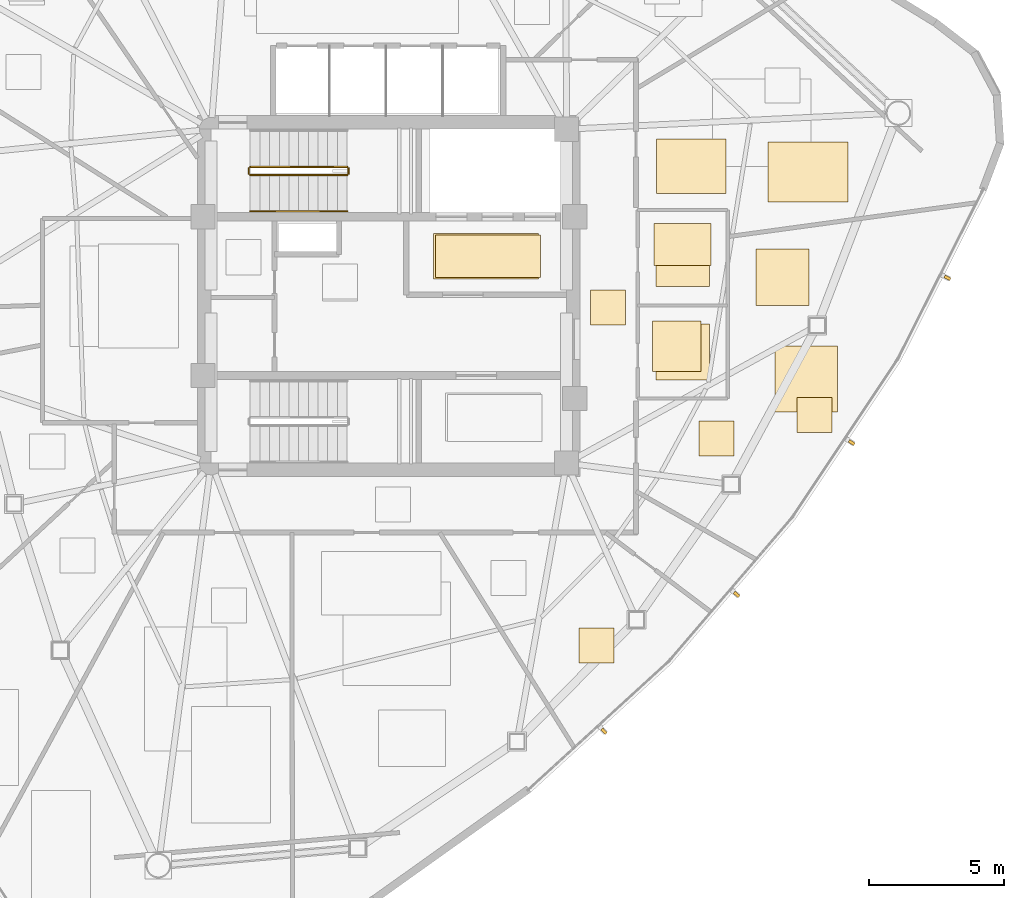
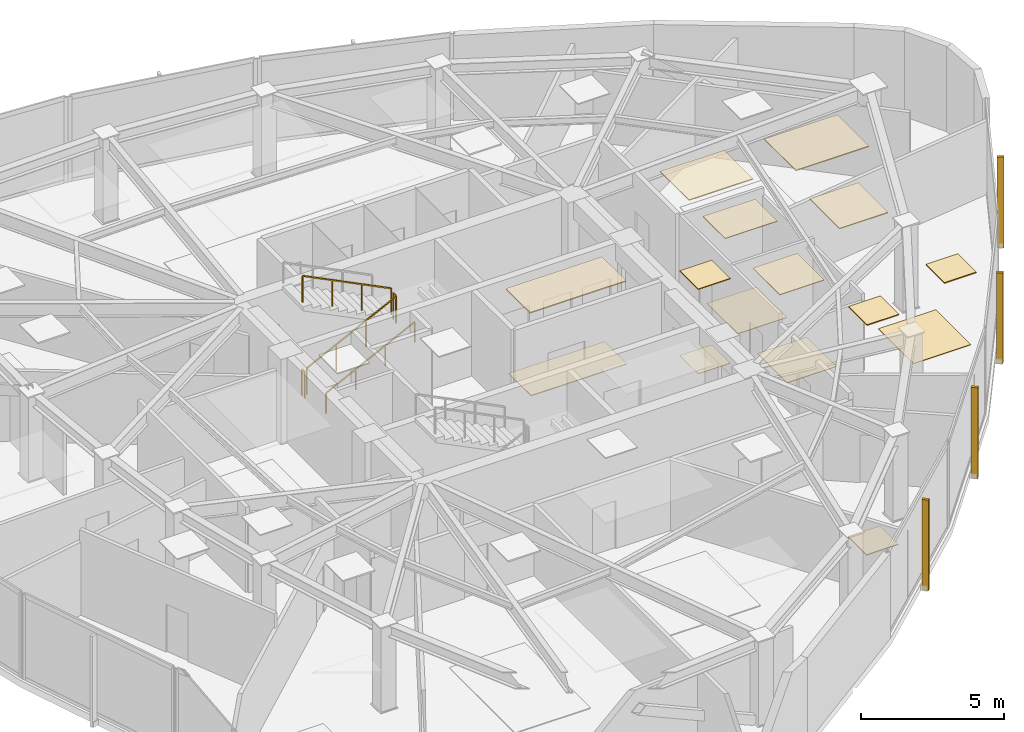
# One storey, part 13 of 14: 15 coverings, 5 railings, 4 shading devices.
"""IFC4 building model written with IfcOpenShell, lengths in metres."""

from ifc_helpers import new_model, si_unit, direction, frame, origin, origin_2d, place, context, subcontext, project, spatial, polyline, rectangle, outline, extrude, source, transform, mapped, material, layer, layer_set, type_object, type_shapes, element, save


model = new_model("IFC4")

# Units and contexts
model_context = context("Model", 3, precision=1e-05, world=origin(), true_north=direction((0.0, 1.0)))
body_context = subcontext(model_context, "Body", "Model", "MODEL_VIEW")
ifc_project = project(units=[si_unit("LENGTHUNIT", "METRE"), si_unit("AREAUNIT", "SQUARE_METRE"), si_unit("VOLUMEUNIT", "CUBIC_METRE"), si_unit("PLANEANGLEUNIT", "RADIAN"), si_unit("MASSUNIT", "GRAM", prefix="KILO")], contexts=[model_context])

# Site, building, storey
site_placement = place(None, origin())
site = spatial("IfcSite", under=ifc_project, at=site_placement, CompositionType="ELEMENT")
building_placement = place(site_placement, origin())
building = spatial("IfcBuilding", under=site, at=building_placement, Name="Tavelor Broadcast Tower", CompositionType="ELEMENT")
storey_placement = place(building_placement, frame((0.0, 0.0, 234.0)))
storey = spatial("IfcBuildingStorey", under=building, at=storey_placement, Name="L55", CompositionType="ELEMENT", Elevation=234.0)

# Covering
ifc_material_1 = material(Name="Copper-Bronze Anodized Aluminium", Category="aluminium")
ifc_layer_1 = layer(ifc_material_1, 0.044921875)
ifc_layer_set_1 = layer_set([ifc_layer_1], Name="Copper-Bronze Anodized Aluminium")
covering_type_1 = type_object("IfcCoveringType", Name="Anodised Bronze Linear Slatted Concourse Ceiling 45 mm", PredefinedType="CEILING", material=ifc_layer_set_1)
covering_1_placement = place(storey_placement, frame((0.0, 0.0, 3.60498046875)))
element("IfcCovering", 1, at=covering_1_placement, inside=storey, type_object=covering_type_1, Name="L55 Suspended Acoustic Ceiling 2168", PredefinedType="CEILING", context=body_context, shape_type="SweptSolid", body=[
    extrude(outline(polyline([(51.659912109375, 45.6318359375), (55.55712890625, 45.6318359375), (55.55712890625, 47.328125), (51.659912109375, 47.328125), (51.659912109375, 45.6318359375)])), origin(), (0.0, 0.0, 1.0), 0.044921875),
])

# Railing
ifc_material_2 = material(Name="Steel S355", Category="steel")
railing_type_1 = type_object("IfcRailingType", Name="Continuous Brushed Stainless Handrail 900 mm", PredefinedType="HANDRAIL", material=ifc_material_2)
railing_1_placement = place(storey_placement, frame((44.85009765625, 48.14990234375, 0.179443359375)))
element("IfcRailing", 2, at=railing_1_placement, inside=storey, type_object=railing_type_1, Name="L55 ST1 stair handrail 1", PredefinedType="HANDRAIL", context=body_context, shape_type="SweptSolid", body=[
    extrude(rectangle(XDim=0.048095703125, YDim=0.048095703125, at=origin_2d()), frame((0.0, 0.0, 0.8759765625), z_axis=(0.894851606799, 0.0, 0.446363755036), x_axis=(0.0, 1.0, 0.0)), (0.0, 0.0, 1.0), 4.02294921875),
    extrude(rectangle(XDim=0.0419921875, YDim=0.0419921875, at=origin_2d()), origin(), (0.0, 0.0, 1.0), 0.851806640625),
    extrude(rectangle(XDim=0.0419921875, YDim=0.0419921875, at=origin_2d()), frame((1.199951171875, 0.0, 0.5986328125)), (0.0, 0.0, 1.0), 0.851806640625),
    extrude(rectangle(XDim=0.0419921875, YDim=0.0419921875, at=origin_2d()), frame((2.39990234375, 0.0, 1.197021484375)), (0.0, 0.0, 1.0), 0.851806640625),
    extrude(rectangle(XDim=0.0419921875, YDim=0.0419921875, at=origin_2d()), frame((3.599853515625, 0.0, 1.795654296875)), (0.0, 0.0, 1.0), 0.851806640625),
])

# Coverings
ifc_material_3 = material(Name="Architectural Anodized Aluminium", Category="aluminium")
ifc_layer_2 = layer(ifc_material_3, 0.034912109375)
ifc_layer_set_2 = layer_set([ifc_layer_2], Name="Architectural Anodized Aluminium")
covering_type_2 = type_object("IfcCoveringType", Name="Demountable Metal Tile Corridor Ceiling 35 mm", PredefinedType="CEILING", material=ifc_layer_set_2)
covering_2_placement = place(storey_placement, frame((0.0, 0.0, 3.614990234375)))
element("IfcCovering", 3, at=covering_2_placement, inside=storey, type_object=covering_type_2, Name="L55 Suspended Acoustic Ceiling 2172", PredefinedType="CEILING", context=body_context, shape_type="SweptSolid", body=[
    extrude(outline(polyline([(57.489990234375, 43.925048828125), (58.7900390625, 43.925048828125), (58.7900390625, 45.22509765625), (57.489990234375, 45.22509765625), (57.489990234375, 43.925048828125)])), origin(), (0.0, 0.0, 1.0), 0.034912109375),
])
ifc_material_4 = material(Name="Acoustic Nylon Carpet Tile")
ifc_layer_3 = layer(ifc_material_4, 0.02001953125)
ifc_layer_set_3 = layer_set([ifc_layer_3], Name="Acoustic Nylon Carpet Tile")
covering_type_3 = type_object("IfcCoveringType", Name="Heavy-Duty Acoustic Broadcast Carpet Tile 20 mm", PredefinedType="FLOORING", material=ifc_layer_set_3)
covering_3_placement = place(storey_placement, origin())
element("IfcCovering", 4, at=covering_3_placement, inside=storey, type_object=covering_type_3, Name="L55 Broadcast Floor Finish 0805", PredefinedType="FLOORING", context=body_context, shape_type="SweptSolid", body=[
    extrude(outline(polyline([(57.489990234375, 43.925048828125), (58.7900390625, 43.925048828125), (58.7900390625, 45.22509765625), (57.489990234375, 45.22509765625), (57.489990234375, 43.925048828125)])), origin(), (0.0, 0.0, 1.0), 0.02001953125),
])
covering_4_placement = place(storey_placement, origin())
element("IfcCovering", 5, at=covering_4_placement, inside=storey, type_object=covering_type_3, Name="L55 Broadcast Floor Finish 0817", PredefinedType="FLOORING", context=body_context, shape_type="SweptSolid", body=[
    extrude(outline(polyline([(64.34228515625, 40.69140625), (66.66162109375, 40.69140625), (66.66162109375, 43.15380859375), (64.34228515625, 43.15380859375), (64.34228515625, 40.69140625)])), origin(), (0.0, 0.0, 1.0), 0.02001953125),
])
ifc_material_5 = material(Name="Honed Natural Limestone Tile", Category="masonry")
ifc_layer_4 = layer(ifc_material_5, 0.030029296875)
ifc_layer_set_4 = layer_set([ifc_layer_4], Name="Honed Natural Limestone Tile")
covering_type_4 = type_object("IfcCoveringType", Name="Honed Jerusalem Limestone Concourse Flooring 30 mm", PredefinedType="FLOORING", material=ifc_layer_set_4)
covering_5_placement = place(storey_placement, origin())
element("IfcCovering", 6, at=covering_5_placement, inside=storey, type_object=covering_type_4, Name="L55 Broadcast Floor Finish 0802", PredefinedType="FLOORING", context=body_context, shape_type="SweptSolid", body=[
    extrude(outline(polyline([(51.7373046875, 45.689453125), (55.62255859375, 45.689453125), (55.62255859375, 47.2705078125), (51.7373046875, 47.2705078125), (51.7373046875, 45.689453125)])), origin(), (0.0, 0.0, 1.0), 0.030029296875),
])
ifc_material_6 = material(Name="Acoustic Hardwood Studio Flooring", Category="wood")
ifc_layer_5 = layer(ifc_material_6, 0.034912109375)
ifc_layer_set_5 = layer_set([ifc_layer_5], Name="Acoustic Hardwood Studio Flooring")
covering_type_5 = type_object("IfcCoveringType", Name="Isolated Studio Acoustic Elastomeric Floor Finish 35 mm", PredefinedType="FLOORING", material=ifc_layer_set_5)
covering_6_placement = place(storey_placement, origin())
element("IfcCovering", 7, at=covering_6_placement, inside=storey, type_object=covering_type_5, Name="L55 Broadcast Floor Finish 0809", PredefinedType="FLOORING", context=body_context, shape_type="SweptSolid", body=[
    extrude(outline(polyline([(57.051025390625, 31.37255859375), (58.35107421875, 31.37255859375), (58.35107421875, 32.672607421875), (57.051025390625, 32.672607421875), (57.051025390625, 31.37255859375)])), origin(), (0.0, 0.0, 1.0), 0.034912109375),
])
ifc_layer_6 = layer(ifc_material_3, 0.030029296875)
ifc_layer_set_6 = layer_set([ifc_layer_6], Name="Architectural Anodized Aluminium")
covering_type_6 = type_object("IfcCoveringType", Name="Moisture-Resistant Washroom Ceiling 30 mm", PredefinedType="CEILING", material=ifc_layer_set_6)
covering_7_placement = place(storey_placement, frame((0.0, 0.0, 3.6201171875)))
element("IfcCovering", 8, at=covering_7_placement, inside=storey, type_object=covering_type_6, Name="L55 Suspended Acoustic Ceiling 2175", PredefinedType="CEILING", context=body_context, shape_type="SweptSolid", body=[
    extrude(outline(polyline([(59.79150390625, 42.2001953125), (61.589599609375, 42.2001953125), (61.589599609375, 44.08203125), (59.79150390625, 44.08203125), (59.79150390625, 42.2001953125)])), origin(), (0.0, 0.0, 1.0), 0.02978515625),
])
covering_8_placement = place(storey_placement, frame((0.0, 0.0, 3.6201171875)))
element("IfcCovering", 9, at=covering_8_placement, inside=storey, type_object=covering_type_6, Name="L55 Suspended Acoustic Ceiling 2176", PredefinedType="CEILING", context=body_context, shape_type="SweptSolid", body=[
    extrude(outline(polyline([(59.85302734375, 46.13623046875), (61.967041015625, 46.13623046875), (61.967041015625, 47.69482421875), (59.85302734375, 47.69482421875), (59.85302734375, 46.13623046875)])), origin(), (0.0, 0.0, 1.0), 0.02978515625),
])
ifc_material_7 = material(Name="Slip-Resistant Porcelain Tile")
ifc_layer_7 = layer(ifc_material_7, 0.02490234375)
ifc_layer_set_7 = layer_set([ifc_layer_7], Name="Slip-Resistant Porcelain Tile")
covering_type_7 = type_object("IfcCoveringType", Name="Slip-Resistant Porcelain Wet-Area Floor Tile 25 mm", PredefinedType="FLOORING", material=ifc_layer_set_7)
covering_9_placement = place(storey_placement, origin())
element("IfcCovering", 10, at=covering_9_placement, inside=storey, type_object=covering_type_7, Name="L55 Broadcast Floor Finish 0807", PredefinedType="FLOORING", context=body_context, shape_type="SweptSolid", body=[
    extrude(outline(polyline([(59.91064453125, 41.885986328125), (61.909423828125, 41.885986328125), (61.909423828125, 43.964111328125), (59.91064453125, 43.964111328125), (59.91064453125, 41.885986328125)])), origin(), (0.0, 0.0, 1.0), 0.02490234375),
])
covering_10_placement = place(storey_placement, origin())
element("IfcCovering", 11, at=covering_10_placement, inside=storey, type_object=covering_type_7, Name="L55 Broadcast Floor Finish 0808", PredefinedType="FLOORING", context=body_context, shape_type="SweptSolid", body=[
    extrude(outline(polyline([(59.91064453125, 45.35009765625), (61.909423828125, 45.35009765625), (61.909423828125, 47.5), (59.91064453125, 47.5), (59.91064453125, 45.35009765625)])), origin(), (0.0, 0.0, 1.0), 0.02490234375),
])

# Railings
railing_type_2 = type_object("IfcRailingType", Name="Stairwell Steel Safety Guardrail 1150 mm", PredefinedType="GUARDRAIL", material=ifc_material_2)
railing_2_placement = place(storey_placement, frame((44.85009765625, 49.5, 0.179443359375)))
element("IfcRailing", 12, at=railing_2_placement, inside=storey, type_object=railing_type_2, Name="L55 ST1 stair guard 1", PredefinedType="GUARDRAIL", context=body_context, shape_type="SweptSolid", body=[
    extrude(rectangle(XDim=0.048095703125, YDim=0.048095703125, at=origin_2d()), frame((0.0, 0.0, 1.1259765625), z_axis=(0.894851606799, 0.0, 0.446363755036), x_axis=(0.0, 1.0, 0.0)), (0.0, 0.0, 1.0), 4.02294921875),
    extrude(rectangle(XDim=0.0419921875, YDim=0.0419921875, at=origin_2d()), origin(), (0.0, 0.0, 1.0), 1.101806640625),
    extrude(rectangle(XDim=0.0419921875, YDim=0.0419921875, at=origin_2d()), frame((1.199951171875, 0.0, 0.5986328125)), (0.0, 0.0, 1.0), 1.101806640625),
    extrude(rectangle(XDim=0.0419921875, YDim=0.0419921875, at=origin_2d()), frame((2.39990234375, 0.0, 1.197021484375)), (0.0, 0.0, 1.0), 1.101806640625),
    extrude(rectangle(XDim=0.0419921875, YDim=0.0419921875, at=origin_2d()), frame((3.599853515625, 0.0, 1.795654296875)), (0.0, 0.0, 1.0), 1.101806640625),
])
railing_3_placement = place(storey_placement, frame((48.5, 49.550048828125, 1.97509765625)))
element("IfcRailing", 13, at=railing_3_placement, inside=storey, type_object=railing_type_2, Name="L55 ST1 stair guard 2", PredefinedType="GUARDRAIL", context=body_context, shape_type="SweptSolid", body=[
    extrude(rectangle(XDim=0.048095703125, YDim=0.048095703125, at=origin_2d()), frame((0.0, 0.0, 1.1259765625), z_axis=(0.0, 1.0, 0.0), x_axis=(-1.0, 0.0, 0.0)), (0.0, 0.0, 1.0), 0.199951171875),
    extrude(rectangle(XDim=0.0419921875, YDim=0.0419921875, at=origin_2d()), origin(), (0.0, 0.0, 1.0), 1.101806640625),
    extrude(rectangle(XDim=0.0419921875, YDim=0.0419921875, at=origin_2d()), frame((0.0, 0.199951171875, 0.0)), (0.0, 0.0, 1.0), 1.101806640625),
])
railing_4_placement = place(storey_placement, frame((48.449951171875, 49.800048828125, 2.154541015625)))
element("IfcRailing", 14, at=railing_4_placement, inside=storey, type_object=railing_type_2, Name="L55 ST1 stair guard 3", PredefinedType="GUARDRAIL", context=body_context, shape_type="SweptSolid", body=[
    extrude(rectangle(XDim=0.048095703125, YDim=0.048095703125, at=origin_2d()), frame((0.0, 0.0, 1.1259765625), z_axis=(-0.894875846893, 0.0, 0.446315156192), x_axis=(0.0, -1.0, 0.0)), (0.0, 0.0, 1.0), 4.022705078125),
    extrude(rectangle(XDim=0.0419921875, YDim=0.0419921875, at=origin_2d()), origin(), (0.0, 0.0, 1.0), 1.101806640625),
    extrude(rectangle(XDim=0.0419921875, YDim=0.0419921875, at=origin_2d()), frame((-1.199951171875, 0.0, 0.598388671875)), (0.0, 0.0, 1.0), 1.101806640625),
    extrude(rectangle(XDim=0.0419921875, YDim=0.0419921875, at=origin_2d()), frame((-2.39990234375, 0.0, 1.197021484375)), (0.0, 0.0, 1.0), 1.101806640625),
    extrude(rectangle(XDim=0.0419921875, YDim=0.0419921875, at=origin_2d()), frame((-3.599853515625, 0.0, 1.79541015625)), (0.0, 0.0, 1.0), 1.101806640625),
])
railing_5_placement = place(storey_placement, frame((44.800048828125, 49.550048828125, 0.0)))
element("IfcRailing", 15, at=railing_5_placement, inside=storey, type_object=railing_type_2, Name="L55 ST1 stair guard 4", PredefinedType="GUARDRAIL", context=body_context, shape_type="SweptSolid", body=[
    extrude(rectangle(XDim=0.048095703125, YDim=0.048095703125, at=origin_2d()), frame((0.0, 0.0, 1.1259765625), z_axis=(0.0, 1.0, 0.0), x_axis=(-1.0, 0.0, 0.0)), (0.0, 0.0, 1.0), 0.199951171875),
    extrude(rectangle(XDim=0.0419921875, YDim=0.0419921875, at=origin_2d()), origin(), (0.0, 0.0, 1.0), 1.101806640625),
    extrude(rectangle(XDim=0.0419921875, YDim=0.0419921875, at=origin_2d()), frame((0.0, 0.199951171875, 0.0)), (0.0, 0.0, 1.0), 1.101806640625),
])

# Coverings
ifc_material_8 = material(Name="Acoustic Mineral Fibre Tile")
ifc_layer_8 = layer(ifc_material_8, 0.0400390625)
ifc_layer_set_8 = layer_set([ifc_layer_8], Name="Acoustic Mineral Fibre Tile")
covering_type_8 = type_object("IfcCoveringType", Name="Suspended Acoustic Mineral-Fibre Office Ceiling 40 mm", PredefinedType="CEILING", material=ifc_layer_set_8)
covering_11_placement = place(storey_placement, frame((0.0, 0.0, 3.610107421875)))
element("IfcCovering", 16, at=covering_11_placement, inside=storey, type_object=covering_type_8, Name="L55 Suspended Acoustic Ceiling 2196", PredefinedType="CEILING", context=body_context, shape_type="SweptSolid", body=[
    extrude(outline(polyline([(64.084716796875, 48.504150390625), (67.043701171875, 48.504150390625), (67.043701171875, 50.724609375), (64.084716796875, 50.724609375), (64.084716796875, 48.504150390625)])), origin(), (0.0, 0.0, 1.0), 0.039794921875),
])
covering_12_placement = place(storey_placement, frame((0.0, 0.0, 3.610107421875)))
element("IfcCovering", 17, at=covering_12_placement, inside=storey, type_object=covering_type_8, Name="L55 Suspended Acoustic Ceiling 2197", PredefinedType="CEILING", context=body_context, shape_type="SweptSolid", body=[
    extrude(outline(polyline([(59.93115234375, 48.80712890625), (62.5234375, 48.80712890625), (62.5234375, 50.831787109375), (59.93115234375, 50.831787109375), (59.93115234375, 48.80712890625)])), origin(), (0.0, 0.0, 1.0), 0.039794921875),
])
covering_13_placement = place(storey_placement, frame((0.0, 0.0, 3.610107421875)))
element("IfcCovering", 18, at=covering_13_placement, inside=storey, type_object=covering_type_8, Name="L55 Suspended Acoustic Ceiling 2198", PredefinedType="CEILING", context=body_context, shape_type="SweptSolid", body=[
    extrude(outline(polyline([(61.518798828125, 39.069580078125), (62.81884765625, 39.069580078125), (62.81884765625, 40.369384765625), (61.518798828125, 40.369384765625), (61.518798828125, 39.069580078125)])), origin(), (0.0, 0.0, 1.0), 0.039794921875),
])
covering_14_placement = place(storey_placement, frame((0.0, 0.0, 3.610107421875)))
element("IfcCovering", 19, at=covering_14_placement, inside=storey, type_object=covering_type_8, Name="L55 Suspended Acoustic Ceiling 2199", PredefinedType="CEILING", context=body_context, shape_type="SweptSolid", body=[
    extrude(outline(polyline([(63.638427734375, 44.660888671875), (65.60205078125, 44.660888671875), (65.60205078125, 46.759521484375), (63.638427734375, 46.759521484375), (63.638427734375, 44.660888671875)])), origin(), (0.0, 0.0, 1.0), 0.039794921875),
])
covering_15_placement = place(storey_placement, frame((0.0, 0.0, 3.610107421875)))
element("IfcCovering", 20, at=covering_15_placement, inside=storey, type_object=covering_type_8, Name="L55 Suspended Acoustic Ceiling 2200", PredefinedType="CEILING", context=body_context, shape_type="SweptSolid", body=[
    extrude(outline(polyline([(65.16015625, 39.94580078125), (66.460205078125, 39.94580078125), (66.460205078125, 41.24560546875), (65.16015625, 41.24560546875), (65.16015625, 39.94580078125)])), origin(), (0.0, 0.0, 1.0), 0.039794921875),
])

# Shading devices
ifc_material_9 = material(Name="Kiln-Fired Glazed Terracotta", Category="masonry")
shading_device_type = type_object("IfcShadingDeviceType", Name="Extruded Terracotta Baguette Sun-Screen 110x240", PredefinedType="JALOUSIE", material=ifc_material_9)
shared_shape = source(origin(), body_context, "Body", "SweptSolid", [
    extrude(rectangle(XDim=0.110107421875, YDim=0.239990234375, at=origin_2d()), origin(), (0.0, 0.0, 1.0), 3.889892578125),
])
type_shapes(shading_device_type, [shared_shape])
for number, where, z_axis, x_axis, name in (
    (21, (57.989013671875, 28.84375, -0.259765625), (0.0, 0.0, 1.0), (0.738219919705, 0.674560116039, 0.0), "L55 Terracotta Baguette Fin 569"),
    (22, (62.912353515625, 33.924072265625, -0.259765625), (0.0, 0.0, 1.0), (0.651171681568, 0.758930458688, 0.0), "L55 Terracotta Baguette Fin 570"),
    (23, (67.1845703125, 39.562744140625, -0.259765625), (0.0, 0.0, 1.0), (0.554408741251, 0.832244523938, 0.0), "L55 Terracotta Baguette Fin 571"),
    (24, (70.742919921875, 45.67724609375, -0.259765625), (0.0, 0.0, 1.0), (0.449630816679, 0.893214491985, 0.0), "L55 Terracotta Baguette Fin 572"),
):
    element("IfcShadingDevice", number, at=place(storey_placement, frame(where, z_axis=z_axis, x_axis=x_axis)), inside=storey, type_object=shading_device_type, Name=name, PredefinedType="JALOUSIE", context=body_context, shape_type="MappedRepresentation", body=[
        mapped(shared_shape, transform((0.0, 0.0, 0.0), scale=1.0)),
    ])

save(model, "model.ifc")
